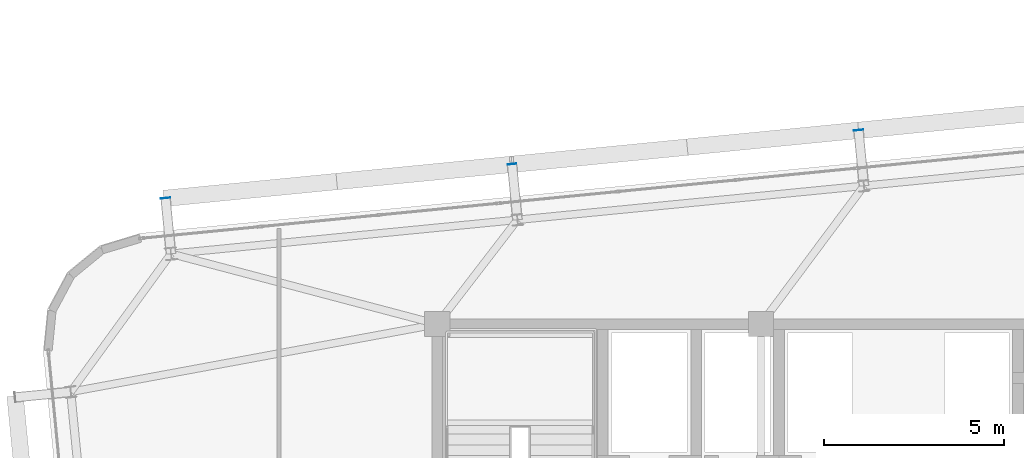
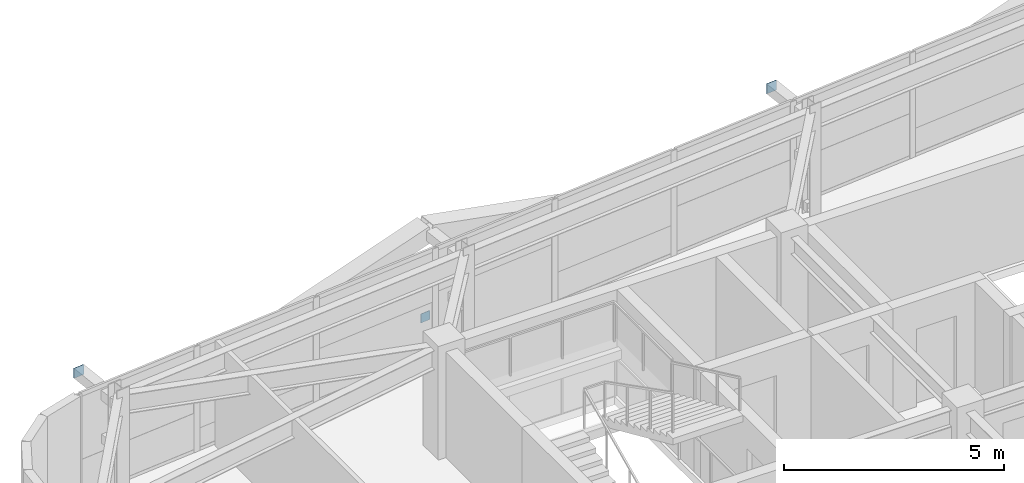
# One storey, part 43 of 54: 3 plates.
"""IFC4 building model written with IfcOpenShell, lengths in metres."""

from ifc_helpers import new_model, si_unit, direction, frame, origin, origin_2d, place, context, subcontext, project, spatial, rectangle, extrude, source, transform, mapped, material, layer, layer_set, type_object, element, save


model = new_model("IFC4")

# Units and contexts
model_context = context("Model", 3, precision=1e-05, world=origin(), true_north=direction((0.0, 1.0)))
body_context = subcontext(model_context, "Body", "Model", "MODEL_VIEW")
ifc_project = project(units=[si_unit("LENGTHUNIT", "METRE"), si_unit("AREAUNIT", "SQUARE_METRE"), si_unit("VOLUMEUNIT", "CUBIC_METRE"), si_unit("PLANEANGLEUNIT", "RADIAN"), si_unit("MASSUNIT", "GRAM", prefix="KILO")], contexts=[model_context])

# Site, building, storey
site_placement = place(None, origin())
site = spatial("IfcSite", under=ifc_project, at=site_placement, CompositionType="ELEMENT")
building_placement = place(site_placement, origin())
building = spatial("IfcBuilding", under=site, at=building_placement, Name="Taldren Reach Tower", CompositionType="ELEMENT")
storey_placement = place(building_placement, frame((0.0, 0.0, 99.75)))
storey = spatial("IfcBuildingStorey", under=building, at=storey_placement, Name="L30", CompositionType="ELEMENT", Elevation=99.75)

# Plates
ifc_material_1 = material(Name="Steel Gr 450 (C450L0)", Category="steel")
ifc_layer_1 = layer(ifc_material_1, 0.011962890625)
ifc_layer_set_1 = layer_set([ifc_layer_1], Name="Steel Gr 450 (C450L0)")
plate_type_1 = type_object("IfcPlateType", Name="PL-CAP-275", PredefinedType="SHEET", material=ifc_layer_set_1)
shared_shape_1 = source(origin(), body_context, "Body", "SweptSolid", [
    extrude(rectangle(XDim=0.27490234375, YDim=0.011962890625, at=origin_2d()), origin(), (0.0, 0.0, 1.0), 0.27490234375),
])
for number, where, z_axis, x_axis, name in (
    (1, (11.445068359375, 35.50537109375, 2.512451171875), (0.0, 0.0, 1.0), (0.995227399982, 0.097582899759, 0.0), "Tie strut end cap plate B2-N1 L30"),
    (2, (30.712646484375, 37.394775390625, 2.512451171875), (0.0, 0.0, 1.0), (0.995227399982, 0.097582899759, 0.0), "Tie strut end cap plate B2-N3 L30"),
):
    element("IfcPlate", number, at=place(storey_placement, frame(where, z_axis=z_axis, x_axis=x_axis)), inside=storey, type_object=plate_type_1, Name=name, PredefinedType="SHEET", context=body_context, shape_type="MappedRepresentation", body=[
        mapped(shared_shape_1, transform((0.0, 0.0, 0.0), scale=1.0)),
    ])
ifc_material_2 = material(Name="Steel Gr 350 (C350L0)", Category="steel")
ifc_layer_2 = layer(ifc_material_2, 0.011962890625)
ifc_layer_set_2 = layer_set([ifc_layer_2], Name="Steel Gr 350 (C350L0)")
plate_type_2 = type_object("IfcPlateType", Name="PL-CAP-250", PredefinedType="SHEET", material=ifc_layer_set_2)
shared_shape_2 = source(origin(), body_context, "Body", "SweptSolid", [
    extrude(rectangle(XDim=0.25, YDim=0.011962890625, at=origin_2d()), origin(), (0.0, 0.0, 1.0), 0.25),
])
plate_placement = place(storey_placement, frame((21.078857421875, 36.449951171875, 0.094970703125), z_axis=(0.0, 0.0, 1.0), x_axis=(0.995227399982, 0.097582899759, 0.0)))
element("IfcPlate", 3, at=plate_placement, inside=storey, type_object=plate_type_2, Name="Tie strut end cap plate B2-N2 L30", PredefinedType="SHEET", context=body_context, shape_type="MappedRepresentation", body=[
    mapped(shared_shape_2, transform((0.0, 0.0, 0.0), scale=1.0)),
])

save(model, "model.ifc")
